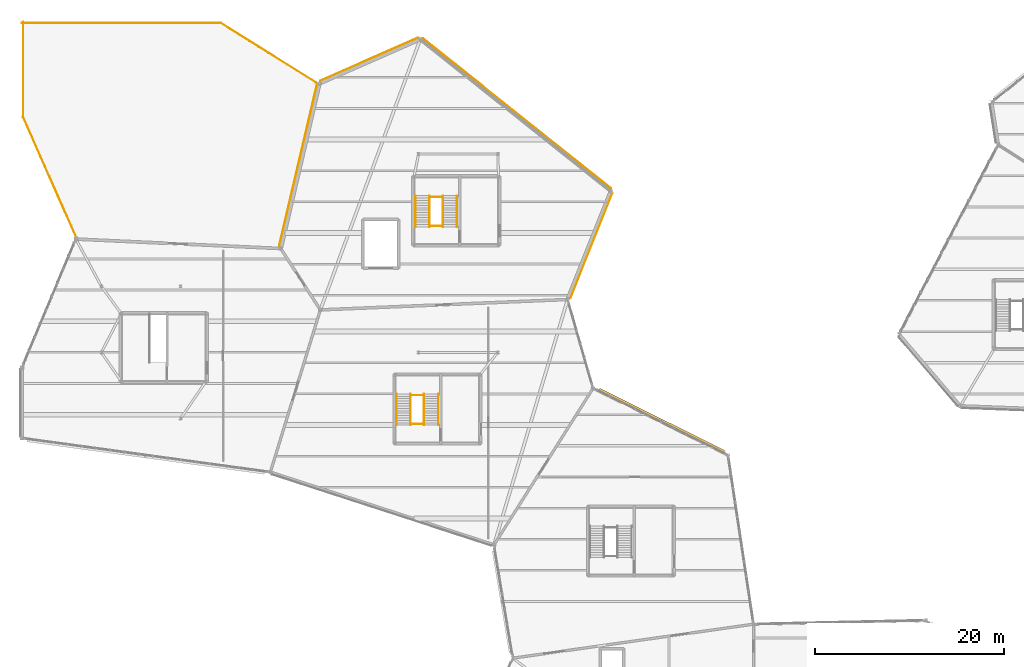
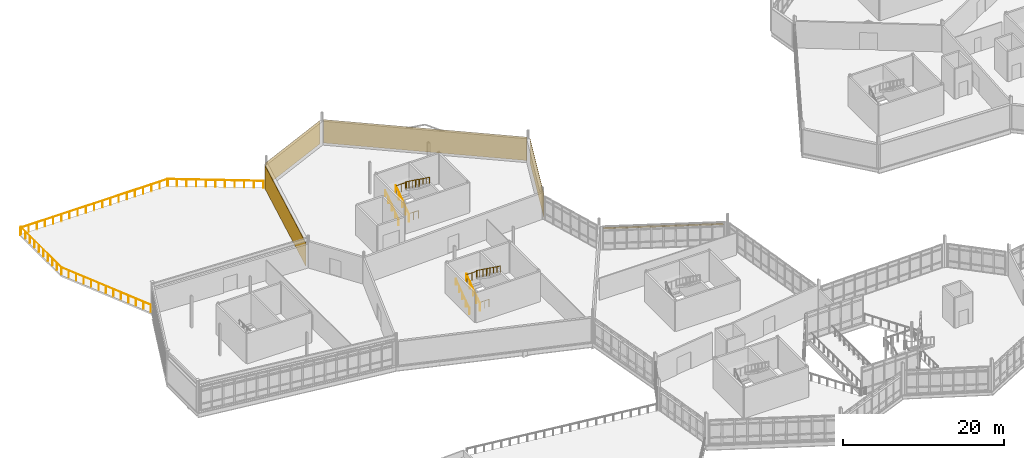
# One storey, part 112 of 114: 16 railings, 4 coverings, 1 shading device.
"""IFC4 building model written with IfcOpenShell, lengths in metres."""

from ifc_helpers import new_model, si_unit, direction, frame, frame_2d, origin, origin_2d, place, context, subcontext, project, spatial, rectangle, circle, extrude, material, layer, layer_set, type_object, element, save


model = new_model("IFC4")

# Units and contexts
model_context = context("Model", 3, precision=1e-05, world=origin(), true_north=direction((0.0, 1.0)))
body_context = subcontext(model_context, "Body", "Model", "MODEL_VIEW")
ifc_project = project(units=[si_unit("LENGTHUNIT", "METRE"), si_unit("AREAUNIT", "SQUARE_METRE"), si_unit("VOLUMEUNIT", "CUBIC_METRE"), si_unit("PLANEANGLEUNIT", "RADIAN"), si_unit("MASSUNIT", "GRAM", prefix="KILO")], contexts=[model_context])

# Site, building, storey
site_placement = place(None, origin())
site = spatial("IfcSite", under=ifc_project, at=site_placement, CompositionType="ELEMENT")
building_placement = place(site_placement, origin())
building = spatial("IfcBuilding", under=site, at=building_placement, Name="Tameran Prism Museum", CompositionType="ELEMENT")
storey_placement = place(building_placement, frame((0.0, 0.0, 10.199951171875)))
storey = spatial("IfcBuildingStorey", under=building, at=storey_placement, Name="L02", CompositionType="ELEMENT", Elevation=10.199951171875)

# Coverings
ifc_material_1 = material(Name="White Fluted Mineral Precast GRC", Category="concrete")
ifc_layer_1 = layer(ifc_material_1, 0.044921875)
ifc_layer_set_1 = layer_set([ifc_layer_1])
covering_type = type_object("IfcCoveringType", Name="CV-FLUTE-WHT", PredefinedType="CLADDING", material=ifc_layer_set_1)
covering_1_placement = place(storey_placement, frame((62.537109375, 93.85107421875, 0.050048828125), z_axis=(0.0, 0.0, 1.0), x_axis=(-0.371394194095, -0.928475283781, 0.0)))
element("IfcCovering", 1, at=covering_1_placement, inside=storey, type_object=covering_type, Name="Vertical Fluted White Precast Panel CL-0043", PredefinedType="CLADDING", context=body_context, shape_type="SweptSolid", body=[
    extrude(rectangle(XDim=11.966064453125, YDim=0.044921875, at=frame_2d((5.98291015625, 0.0))), origin(), (0.0, 0.0, 1.0), 3.52001953125),
])
covering_2_placement = place(storey_placement, frame((42.47802734375, 110.260009765625, 0.050048828125), z_axis=(0.0, 0.0, 1.0), x_axis=(0.781985968603, -0.623296033123, 0.0)))
element("IfcCovering", 2, at=covering_2_placement, inside=storey, type_object=covering_type, Name="Vertical Fluted White Precast Panel CL-0044", PredefinedType="CLADDING", context=body_context, shape_type="SweptSolid", body=[
    extrude(rectangle(XDim=25.470947265625, YDim=0.044921875, at=frame_2d((12.7353515625, 0.0))), origin(), (0.0, 0.0, 1.0), 3.52001953125),
])
covering_3_placement = place(storey_placement, frame((31.575927734375, 105.77392578125, 0.050048828125), z_axis=(0.0, 0.0, 1.0), x_axis=(0.915578616836, 0.402139026199, 0.0)))
element("IfcCovering", 3, at=covering_3_placement, inside=storey, type_object=covering_type, Name="Vertical Fluted White Precast Panel CL-0045", PredefinedType="CLADDING", context=body_context, shape_type="SweptSolid", body=[
    extrude(rectangle(XDim=11.327392578125, YDim=0.044921875, at=frame_2d((5.66357421875, 0.0))), origin(), (0.0, 0.0, 1.0), 3.52001953125),
])
covering_4_placement = place(storey_placement, frame((27.240966796875, 88.282958984375, 0.050048828125), z_axis=(0.0, 0.0, 1.0), x_axis=(0.228094301779, 0.973639044768, 0.0)))
element("IfcCovering", 4, at=covering_4_placement, inside=storey, type_object=covering_type, Name="Vertical Fluted White Precast Panel CL-0046", PredefinedType="CLADDING", context=body_context, shape_type="SweptSolid", body=[
    extrude(rectangle(XDim=17.5546875, YDim=0.044921875, at=frame_2d((8.77734375, 0.0))), origin(), (0.0, 0.0, 1.0), 3.52001953125),
])

# Railings
ifc_material_2 = material(Name="Marine Stainless Steel 316", Category="steel")
ifc_layer_2 = layer(ifc_material_2, 0.054931640625)
ifc_layer_set_2 = layer_set([ifc_layer_2])
railing_type_1 = type_object("IfcRailingType", Name="RL-GR-1120", PredefinedType="GUARDRAIL", material=ifc_layer_set_2)
railing_1_placement = place(storey_placement, frame((41.18994140625, 69.39990234375, 0.0)))
element("IfcRailing", 5, at=railing_1_placement, inside=storey, type_object=railing_type_1, Name="Stair Well Slot Guard GR-S148", PredefinedType="GUARDRAIL", context=body_context, shape_type="SweptSolid", body=[
    extrude(circle(Radius=0.02392578125, at=origin_2d()), frame((0.0, 0.0, 1.1259765625), z_axis=(1.0, 0.0, 0.0), x_axis=(0.0, 1.0, 0.0)), (0.0, 0.0, 1.0), 1.3701171875),
    extrude(circle(Radius=0.02099609375, at=origin_2d()), origin(), (0.0, 0.0, 1.0), 1.101806640625),
    extrude(circle(Radius=0.02099609375, at=origin_2d()), frame((0.68505859375, 0.0, 0.0)), (0.0, 0.0, 1.0), 1.101806640625),
    extrude(circle(Radius=0.02099609375, at=origin_2d()), frame((1.3701171875, 0.0, 0.0)), (0.0, 0.0, 1.0), 1.101806640625),
])
railing_2_placement = place(storey_placement, frame((41.169921875, 69.280029296875, 0.0)))
element("IfcRailing", 6, at=railing_2_placement, inside=storey, type_object=railing_type_1, Name="Stair Well Guardrail GR-S149", PredefinedType="GUARDRAIL", context=body_context, shape_type="SweptSolid", body=[
    extrude(circle(Radius=0.02392578125, at=origin_2d()), frame((0.0, 0.0, 1.1259765625), z_axis=(0.0, 0.809980229442, 0.586457183359), x_axis=(-1.0, 0.0, 0.0)), (0.0, 0.0, 1.0), 4.092529296875),
    extrude(circle(Radius=0.02099609375, at=origin_2d()), origin(), (0.0, 0.0, 1.0), 1.101806640625),
    extrude(circle(Radius=0.02099609375, at=origin_2d()), frame((0.0, 0.82861328125, 0.60009765625)), (0.0, 0.0, 1.0), 1.101806640625),
    extrude(circle(Radius=0.02099609375, at=origin_2d()), frame((0.0, 1.657470703125, 1.2001953125)), (0.0, 0.0, 1.0), 1.101806640625),
    extrude(circle(Radius=0.02099609375, at=origin_2d()), frame((0.0, 2.486328125, 1.800048828125)), (0.0, 0.0, 1.0), 1.101806640625),
    extrude(circle(Radius=0.02099609375, at=origin_2d()), frame((0.0, 3.31494140625, 2.400146484375)), (0.0, 0.0, 1.0), 1.101806640625),
])
railing_3_placement = place(storey_placement, frame((42.580078125, 72.594970703125, 2.400146484375)))
element("IfcRailing", 7, at=railing_3_placement, inside=storey, type_object=railing_type_1, Name="Stair Well Guardrail GR-S150", PredefinedType="GUARDRAIL", context=body_context, shape_type="SweptSolid", body=[
    extrude(circle(Radius=0.02392578125, at=origin_2d()), frame((0.0, 0.0, 1.1259765625), z_axis=(0.0, -0.810008566192, 0.586418044312), x_axis=(1.0, 0.0, 0.0)), (0.0, 0.0, 1.0), 4.092529296875),
    extrude(circle(Radius=0.02099609375, at=origin_2d()), origin(), (0.0, 0.0, 1.0), 1.101806640625),
    extrude(circle(Radius=0.02099609375, at=origin_2d()), frame((0.0, -0.82861328125, 0.60009765625)), (0.0, 0.0, 1.0), 1.101806640625),
    extrude(circle(Radius=0.02099609375, at=origin_2d()), frame((0.0, -1.657470703125, 1.199951171875)), (0.0, 0.0, 1.0), 1.101806640625),
    extrude(circle(Radius=0.02099609375, at=origin_2d()), frame((0.0, -2.486328125, 1.7998046875)), (0.0, 0.0, 1.0), 1.101806640625),
    extrude(circle(Radius=0.02099609375, at=origin_2d()), frame((0.0, -3.31494140625, 2.39990234375)), (0.0, 0.0, 1.0), 1.101806640625),
])
railing_4_placement = place(storey_placement, frame((41.14990234375, 72.455078125, 2.400146484375)))
element("IfcRailing", 8, at=railing_4_placement, inside=storey, type_object=railing_type_1, Name="Landing Well Guardrail GR-S151", PredefinedType="GUARDRAIL", context=body_context, shape_type="SweptSolid", body=[
    extrude(circle(Radius=0.02392578125, at=origin_2d()), frame((0.0, 0.0, 1.1259765625), z_axis=(1.0, 0.0, 0.0), x_axis=(0.0, 1.0, 0.0)), (0.0, 0.0, 1.0), 1.4501953125),
    extrude(circle(Radius=0.02099609375, at=origin_2d()), origin(), (0.0, 0.0, 1.0), 1.101806640625),
    extrude(circle(Radius=0.02099609375, at=origin_2d()), frame((0.72509765625, 0.0, 0.0)), (0.0, 0.0, 1.0), 1.101806640625),
    extrude(circle(Radius=0.02099609375, at=origin_2d()), frame((1.4501953125, 0.0, 0.0)), (0.0, 0.0, 1.0), 1.101806640625),
])
railing_5_placement = place(storey_placement, frame((43.18994140625, 90.39990234375, 0.0)))
element("IfcRailing", 9, at=railing_5_placement, inside=storey, type_object=railing_type_1, Name="Stair Well Slot Guard GR-S208", PredefinedType="GUARDRAIL", context=body_context, shape_type="SweptSolid", body=[
    extrude(circle(Radius=0.02392578125, at=origin_2d()), frame((0.0, 0.0, 1.1259765625), z_axis=(1.0, 0.0, 0.0), x_axis=(0.0, 1.0, 0.0)), (0.0, 0.0, 1.0), 1.3701171875),
    extrude(circle(Radius=0.02099609375, at=origin_2d()), origin(), (0.0, 0.0, 1.0), 1.101806640625),
    extrude(circle(Radius=0.02099609375, at=origin_2d()), frame((0.68505859375, 0.0, 0.0)), (0.0, 0.0, 1.0), 1.101806640625),
    extrude(circle(Radius=0.02099609375, at=origin_2d()), frame((1.3701171875, 0.0, 0.0)), (0.0, 0.0, 1.0), 1.101806640625),
])
railing_6_placement = place(storey_placement, frame((43.169921875, 90.280029296875, 0.0)))
element("IfcRailing", 10, at=railing_6_placement, inside=storey, type_object=railing_type_1, Name="Stair Well Guardrail GR-S209", PredefinedType="GUARDRAIL", context=body_context, shape_type="SweptSolid", body=[
    extrude(circle(Radius=0.02392578125, at=origin_2d()), frame((0.0, 0.0, 1.1259765625), z_axis=(0.0, 0.809980229442, 0.586457183359), x_axis=(-1.0, 0.0, 0.0)), (0.0, 0.0, 1.0), 4.092529296875),
    extrude(circle(Radius=0.02099609375, at=origin_2d()), origin(), (0.0, 0.0, 1.0), 1.101806640625),
    extrude(circle(Radius=0.02099609375, at=origin_2d()), frame((0.0, 0.82861328125, 0.60009765625)), (0.0, 0.0, 1.0), 1.101806640625),
    extrude(circle(Radius=0.02099609375, at=origin_2d()), frame((0.0, 1.657470703125, 1.2001953125)), (0.0, 0.0, 1.0), 1.101806640625),
    extrude(circle(Radius=0.02099609375, at=origin_2d()), frame((0.0, 2.486328125, 1.800048828125)), (0.0, 0.0, 1.0), 1.101806640625),
    extrude(circle(Radius=0.02099609375, at=origin_2d()), frame((0.0, 3.31494140625, 2.400146484375)), (0.0, 0.0, 1.0), 1.101806640625),
])
railing_7_placement = place(storey_placement, frame((44.580078125, 93.594970703125, 2.400146484375)))
element("IfcRailing", 11, at=railing_7_placement, inside=storey, type_object=railing_type_1, Name="Stair Well Guardrail GR-S210", PredefinedType="GUARDRAIL", context=body_context, shape_type="SweptSolid", body=[
    extrude(circle(Radius=0.02392578125, at=origin_2d()), frame((0.0, 0.0, 1.1259765625), z_axis=(0.0, -0.810008566192, 0.586418044312), x_axis=(1.0, 0.0, 0.0)), (0.0, 0.0, 1.0), 4.092529296875),
    extrude(circle(Radius=0.02099609375, at=origin_2d()), origin(), (0.0, 0.0, 1.0), 1.101806640625),
    extrude(circle(Radius=0.02099609375, at=origin_2d()), frame((0.0, -0.82861328125, 0.60009765625)), (0.0, 0.0, 1.0), 1.101806640625),
    extrude(circle(Radius=0.02099609375, at=origin_2d()), frame((0.0, -1.657470703125, 1.199951171875)), (0.0, 0.0, 1.0), 1.101806640625),
    extrude(circle(Radius=0.02099609375, at=origin_2d()), frame((0.0, -2.486328125, 1.7998046875)), (0.0, 0.0, 1.0), 1.101806640625),
    extrude(circle(Radius=0.02099609375, at=origin_2d()), frame((0.0, -3.31494140625, 2.39990234375)), (0.0, 0.0, 1.0), 1.101806640625),
])
railing_8_placement = place(storey_placement, frame((43.14990234375, 93.455078125, 2.400146484375)))
element("IfcRailing", 12, at=railing_8_placement, inside=storey, type_object=railing_type_1, Name="Landing Well Guardrail GR-S211", PredefinedType="GUARDRAIL", context=body_context, shape_type="SweptSolid", body=[
    extrude(circle(Radius=0.02392578125, at=origin_2d()), frame((0.0, 0.0, 1.1259765625), z_axis=(1.0, 0.0, 0.0), x_axis=(0.0, 1.0, 0.0)), (0.0, 0.0, 1.0), 1.4501953125),
    extrude(circle(Radius=0.02099609375, at=origin_2d()), origin(), (0.0, 0.0, 1.0), 1.101806640625),
    extrude(circle(Radius=0.02099609375, at=origin_2d()), frame((0.72509765625, 0.0, 0.0)), (0.0, 0.0, 1.0), 1.101806640625),
    extrude(circle(Radius=0.02099609375, at=origin_2d()), frame((1.4501953125, 0.0, 0.0)), (0.0, 0.0, 1.0), 1.101806640625),
])
ifc_material_3 = material(Name="Brushed Stainless Steel 316", Category="steel")
ifc_layer_3 = layer(ifc_material_3, 0.048095703125)
ifc_layer_set_3 = layer_set([ifc_layer_3])
railing_type_2 = type_object("IfcRailingType", Name="RL-HR-920", PredefinedType="HANDRAIL", material=ifc_layer_set_3)
railing_9_placement = place(storey_placement, frame((39.659912109375, 69.280029296875, 0.0)))
element("IfcRailing", 13, at=railing_9_placement, inside=storey, type_object=railing_type_2, Name="Stair Flight Handrail HR-075", PredefinedType="HANDRAIL", context=body_context, shape_type="SweptSolid", body=[
    extrude(circle(Radius=0.02392578125, at=origin_2d()), frame((0.0, 0.0, 0.89599609375), z_axis=(0.0, 0.809980229442, 0.586457183359), x_axis=(-1.0, 0.0, 0.0)), (0.0, 0.0, 1.0), 4.092529296875),
    extrude(circle(Radius=0.02099609375, at=origin_2d()), origin(), (0.0, 0.0, 1.0), 0.871826171875),
    extrude(circle(Radius=0.02099609375, at=origin_2d()), frame((0.0, 0.82861328125, 0.60009765625)), (0.0, 0.0, 1.0), 0.871826171875),
    extrude(circle(Radius=0.02099609375, at=origin_2d()), frame((0.0, 1.657470703125, 1.2001953125)), (0.0, 0.0, 1.0), 0.871826171875),
    extrude(circle(Radius=0.02099609375, at=origin_2d()), frame((0.0, 2.486328125, 1.800048828125)), (0.0, 0.0, 1.0), 0.871826171875),
    extrude(circle(Radius=0.02099609375, at=origin_2d()), frame((0.0, 3.31494140625, 2.400146484375)), (0.0, 0.0, 1.0), 0.871826171875),
])
railing_10_placement = place(storey_placement, frame((44.090087890625, 72.594970703125, 2.400146484375)))
element("IfcRailing", 14, at=railing_10_placement, inside=storey, type_object=railing_type_2, Name="Stair Flight Handrail HR-076", PredefinedType="HANDRAIL", context=body_context, shape_type="SweptSolid", body=[
    extrude(circle(Radius=0.02392578125, at=origin_2d()), frame((0.0, 0.0, 0.89599609375), z_axis=(0.0, -0.810008566192, 0.586418044312), x_axis=(1.0, 0.0, 0.0)), (0.0, 0.0, 1.0), 4.092529296875),
    extrude(circle(Radius=0.02099609375, at=origin_2d()), origin(), (0.0, 0.0, 1.0), 0.871826171875),
    extrude(circle(Radius=0.02099609375, at=origin_2d()), frame((0.0, -0.82861328125, 0.60009765625)), (0.0, 0.0, 1.0), 0.871826171875),
    extrude(circle(Radius=0.02099609375, at=origin_2d()), frame((0.0, -1.657470703125, 1.199951171875)), (0.0, 0.0, 1.0), 0.871826171875),
    extrude(circle(Radius=0.02099609375, at=origin_2d()), frame((0.0, -2.486328125, 1.7998046875)), (0.0, 0.0, 1.0), 0.871826171875),
    extrude(circle(Radius=0.02099609375, at=origin_2d()), frame((0.0, -3.31494140625, 2.39990234375)), (0.0, 0.0, 1.0), 0.871826171875),
])
railing_11_placement = place(storey_placement, frame((41.659912109375, 90.280029296875, 0.0)))
element("IfcRailing", 15, at=railing_11_placement, inside=storey, type_object=railing_type_2, Name="Stair Flight Handrail HR-105", PredefinedType="HANDRAIL", context=body_context, shape_type="SweptSolid", body=[
    extrude(circle(Radius=0.02392578125, at=origin_2d()), frame((0.0, 0.0, 0.89599609375), z_axis=(0.0, 0.809980229442, 0.586457183359), x_axis=(-1.0, 0.0, 0.0)), (0.0, 0.0, 1.0), 4.092529296875),
    extrude(circle(Radius=0.02099609375, at=origin_2d()), origin(), (0.0, 0.0, 1.0), 0.871826171875),
    extrude(circle(Radius=0.02099609375, at=origin_2d()), frame((0.0, 0.82861328125, 0.60009765625)), (0.0, 0.0, 1.0), 0.871826171875),
    extrude(circle(Radius=0.02099609375, at=origin_2d()), frame((0.0, 1.657470703125, 1.2001953125)), (0.0, 0.0, 1.0), 0.871826171875),
    extrude(circle(Radius=0.02099609375, at=origin_2d()), frame((0.0, 2.486328125, 1.800048828125)), (0.0, 0.0, 1.0), 0.871826171875),
    extrude(circle(Radius=0.02099609375, at=origin_2d()), frame((0.0, 3.31494140625, 2.400146484375)), (0.0, 0.0, 1.0), 0.871826171875),
])
railing_12_placement = place(storey_placement, frame((46.090087890625, 93.594970703125, 2.400146484375)))
element("IfcRailing", 16, at=railing_12_placement, inside=storey, type_object=railing_type_2, Name="Stair Flight Handrail HR-106", PredefinedType="HANDRAIL", context=body_context, shape_type="SweptSolid", body=[
    extrude(circle(Radius=0.02392578125, at=origin_2d()), frame((0.0, 0.0, 0.89599609375), z_axis=(0.0, -0.810008566192, 0.586418044312), x_axis=(1.0, 0.0, 0.0)), (0.0, 0.0, 1.0), 4.092529296875),
    extrude(circle(Radius=0.02099609375, at=origin_2d()), origin(), (0.0, 0.0, 1.0), 0.871826171875),
    extrude(circle(Radius=0.02099609375, at=origin_2d()), frame((0.0, -0.82861328125, 0.60009765625)), (0.0, 0.0, 1.0), 0.871826171875),
    extrude(circle(Radius=0.02099609375, at=origin_2d()), frame((0.0, -1.657470703125, 1.199951171875)), (0.0, 0.0, 1.0), 0.871826171875),
    extrude(circle(Radius=0.02099609375, at=origin_2d()), frame((0.0, -2.486328125, 1.7998046875)), (0.0, 0.0, 1.0), 0.871826171875),
    extrude(circle(Radius=0.02099609375, at=origin_2d()), frame((0.0, -3.31494140625, 2.39990234375)), (0.0, 0.0, 1.0), 0.871826171875),
])
ifc_material_4 = material(Name="Marine Stainless Steel 316", Category="steel")
ifc_layer_4 = layer(ifc_material_4, 0.06005859375)
ifc_layer_set_4 = layer_set([ifc_layer_4])
railing_type_3 = type_object("IfcRailingType", Name="RL-TER-1120", PredefinedType="GUARDRAIL", material=ifc_layer_set_4)
railing_13_placement = place(storey_placement, frame((31.156982421875, 105.572021484375, 0.0)))
element("IfcRailing", 17, at=railing_13_placement, inside=storey, type_object=railing_type_3, Name="Terrace Guardrail GR-T023", PredefinedType="GUARDRAIL", context=body_context, shape_type="SweptSolid", body=[
    extrude(circle(Radius=0.02392578125, at=origin_2d()), frame((0.0, 0.0, 1.09619140625), z_axis=(-0.847989110547, 0.530013649252, 0.0), x_axis=(-0.530013649252, -0.847989110547, 0.0)), (0.0, 0.0, 1.0), 11.935302734375),
    extrude(circle(Radius=0.02099609375, at=origin_2d()), origin(), (0.0, 0.0, 1.0), 1.072021484375),
    extrude(circle(Radius=0.02099609375, at=origin_2d()), frame((-1.01220703125, 0.632568359375, 0.0)), (0.0, 0.0, 1.0), 1.072021484375),
    extrude(circle(Radius=0.02099609375, at=origin_2d()), frame((-2.024169921875, 1.26513671875, 0.0)), (0.0, 0.0, 1.0), 1.072021484375),
    extrude(circle(Radius=0.02099609375, at=origin_2d()), frame((-3.036376953125, 1.897705078125, 0.0)), (0.0, 0.0, 1.0), 1.072021484375),
    extrude(circle(Radius=0.02099609375, at=origin_2d()), frame((-4.04833984375, 2.5302734375, 0.0)), (0.0, 0.0, 1.0), 1.072021484375),
    extrude(circle(Radius=0.02099609375, at=origin_2d()), frame((-5.060546875, 3.1630859375, 0.0)), (0.0, 0.0, 1.0), 1.072021484375),
    extrude(circle(Radius=0.02099609375, at=origin_2d()), frame((-6.07275390625, 3.795654296875, 0.0)), (0.0, 0.0, 1.0), 1.072021484375),
    extrude(circle(Radius=0.02099609375, at=origin_2d()), frame((-7.084716796875, 4.42822265625, 0.0)), (0.0, 0.0, 1.0), 1.072021484375),
    extrude(circle(Radius=0.02099609375, at=origin_2d()), frame((-8.096923828125, 5.060791015625, 0.0)), (0.0, 0.0, 1.0), 1.072021484375),
    extrude(circle(Radius=0.02099609375, at=origin_2d()), frame((-9.10888671875, 5.693359375, 0.0)), (0.0, 0.0, 1.0), 1.072021484375),
    extrude(circle(Radius=0.02099609375, at=origin_2d()), frame((-10.12109375, 6.325927734375, 0.0)), (0.0, 0.0, 1.0), 1.072021484375),
])
railing_14_placement = place(storey_placement, frame((21.10009765625, 111.8798828125, 0.0)))
element("IfcRailing", 18, at=railing_14_placement, inside=storey, type_object=railing_type_3, Name="Terrace Guardrail GR-T024", PredefinedType="GUARDRAIL", context=body_context, shape_type="SweptSolid", body=[
    extrude(circle(Radius=0.02392578125, at=origin_2d()), frame((0.0, 0.0, 1.09619140625), z_axis=(-1.0, 0.0, 0.0), x_axis=(0.0, -1.0, 0.0)), (0.0, 0.0, 1.0), 21.10009765625),
    extrude(circle(Radius=0.02099609375, at=origin_2d()), origin(), (0.0, 0.0, 1.0), 1.072021484375),
    extrude(circle(Radius=0.02099609375, at=origin_2d()), frame((-1.172119140625, 0.0, 0.0)), (0.0, 0.0, 1.0), 1.072021484375),
    extrude(circle(Radius=0.02099609375, at=origin_2d()), frame((-2.344482421875, 0.0, 0.0)), (0.0, 0.0, 1.0), 1.072021484375),
    extrude(circle(Radius=0.02099609375, at=origin_2d()), frame((-3.5166015625, 0.0, 0.0)), (0.0, 0.0, 1.0), 1.072021484375),
    extrude(circle(Radius=0.02099609375, at=origin_2d()), frame((-4.68896484375, 0.0, 0.0)), (0.0, 0.0, 1.0), 1.072021484375),
    extrude(circle(Radius=0.02099609375, at=origin_2d()), frame((-5.861083984375, 0.0, 0.0)), (0.0, 0.0, 1.0), 1.072021484375),
    extrude(circle(Radius=0.02099609375, at=origin_2d()), frame((-7.033447265625, 0.0, 0.0)), (0.0, 0.0, 1.0), 1.072021484375),
    extrude(circle(Radius=0.02099609375, at=origin_2d()), frame((-8.20556640625, 0.0, 0.0)), (0.0, 0.0, 1.0), 1.072021484375),
    extrude(circle(Radius=0.02099609375, at=origin_2d()), frame((-9.3779296875, 0.0, 0.0)), (0.0, 0.0, 1.0), 1.072021484375),
    extrude(circle(Radius=0.02099609375, at=origin_2d()), frame((-10.550048828125, 0.0, 0.0)), (0.0, 0.0, 1.0), 1.072021484375),
    extrude(circle(Radius=0.02099609375, at=origin_2d()), frame((-11.72216796875, 0.0, 0.0)), (0.0, 0.0, 1.0), 1.072021484375),
    extrude(circle(Radius=0.02099609375, at=origin_2d()), frame((-12.89453125, 0.0, 0.0)), (0.0, 0.0, 1.0), 1.072021484375),
    extrude(circle(Radius=0.02099609375, at=origin_2d()), frame((-14.066650390625, 0.0, 0.0)), (0.0, 0.0, 1.0), 1.072021484375),
    extrude(circle(Radius=0.02099609375, at=origin_2d()), frame((-15.239013671875, 0.0, 0.0)), (0.0, 0.0, 1.0), 1.072021484375),
    extrude(circle(Radius=0.02099609375, at=origin_2d()), frame((-16.4111328125, 0.0, 0.0)), (0.0, 0.0, 1.0), 1.072021484375),
    extrude(circle(Radius=0.02099609375, at=origin_2d()), frame((-17.58349609375, 0.0, 0.0)), (0.0, 0.0, 1.0), 1.072021484375),
    extrude(circle(Radius=0.02099609375, at=origin_2d()), frame((-18.755615234375, 0.0, 0.0)), (0.0, 0.0, 1.0), 1.072021484375),
    extrude(circle(Radius=0.02099609375, at=origin_2d()), frame((-19.927978515625, 0.0, 0.0)), (0.0, 0.0, 1.0), 1.072021484375),
    extrude(circle(Radius=0.02099609375, at=origin_2d()), frame((-21.10009765625, 0.0, 0.0)), (0.0, 0.0, 1.0), 1.072021484375),
])
railing_15_placement = place(storey_placement, frame((0.1201171875, 112.0, 0.0)))
element("IfcRailing", 19, at=railing_15_placement, inside=storey, type_object=railing_type_3, Name="Terrace Guardrail GR-T025", PredefinedType="GUARDRAIL", context=body_context, shape_type="SweptSolid", body=[
    extrude(circle(Radius=0.02392578125, at=origin_2d()), frame((0.0, 0.0, 1.09619140625), z_axis=(0.0, -1.0, 0.0), x_axis=(1.0, 0.0, 0.0)), (0.0, 0.0, 1.0), 10.10009765625),
    extrude(circle(Radius=0.02099609375, at=origin_2d()), origin(), (0.0, 0.0, 1.0), 1.072021484375),
    extrude(circle(Radius=0.02099609375, at=origin_2d()), frame((0.0, -1.122314453125, 0.0)), (0.0, 0.0, 1.0), 1.072021484375),
    extrude(circle(Radius=0.02099609375, at=origin_2d()), frame((0.0, -2.244384765625, 0.0)), (0.0, 0.0, 1.0), 1.072021484375),
    extrude(circle(Radius=0.02099609375, at=origin_2d()), frame((0.0, -3.36669921875, 0.0)), (0.0, 0.0, 1.0), 1.072021484375),
    extrude(circle(Radius=0.02099609375, at=origin_2d()), frame((0.0, -4.489013671875, 0.0)), (0.0, 0.0, 1.0), 1.072021484375),
    extrude(circle(Radius=0.02099609375, at=origin_2d()), frame((0.0, -5.611083984375, 0.0)), (0.0, 0.0, 1.0), 1.072021484375),
    extrude(circle(Radius=0.02099609375, at=origin_2d()), frame((0.0, -6.7333984375, 0.0)), (0.0, 0.0, 1.0), 1.072021484375),
    extrude(circle(Radius=0.02099609375, at=origin_2d()), frame((0.0, -7.855712890625, 0.0)), (0.0, 0.0, 1.0), 1.072021484375),
    extrude(circle(Radius=0.02099609375, at=origin_2d()), frame((0.0, -8.977783203125, 0.0)), (0.0, 0.0, 1.0), 1.072021484375),
    extrude(circle(Radius=0.02099609375, at=origin_2d()), frame((0.0, -10.10009765625, 0.0)), (0.0, 0.0, 1.0), 1.072021484375),
])
railing_16_placement = place(storey_placement, frame((0.110107421875, 101.947998046875, 0.0)))
element("IfcRailing", 20, at=railing_16_placement, inside=storey, type_object=railing_type_3, Name="Terrace Guardrail GR-T026", PredefinedType="GUARDRAIL", context=body_context, shape_type="SweptSolid", body=[
    extrude(circle(Radius=0.02392578125, at=origin_2d()), frame((0.0, 0.0, 1.09619140625), z_axis=(0.404160744475, -0.914687975555, 0.0), x_axis=(0.914687975555, 0.404160744475, 0.0)), (0.0, 0.0, 1.0), 13.77392578125),
    extrude(circle(Radius=0.02099609375, at=origin_2d()), origin(), (0.0, 0.0, 1.0), 1.072021484375),
    extrude(circle(Radius=0.02099609375, at=origin_2d()), frame((0.4638671875, -1.0498046875, 0.0)), (0.0, 0.0, 1.0), 1.072021484375),
    extrude(circle(Radius=0.02099609375, at=origin_2d()), frame((0.927734375, -2.099853515625, 0.0)), (0.0, 0.0, 1.0), 1.072021484375),
    extrude(circle(Radius=0.02099609375, at=origin_2d()), frame((1.3916015625, -3.149658203125, 0.0)), (0.0, 0.0, 1.0), 1.072021484375),
    extrude(circle(Radius=0.02099609375, at=origin_2d()), frame((1.855712890625, -4.19970703125, 0.0)), (0.0, 0.0, 1.0), 1.072021484375),
    extrude(circle(Radius=0.02099609375, at=origin_2d()), frame((2.319580078125, -5.24951171875, 0.0)), (0.0, 0.0, 1.0), 1.072021484375),
    extrude(circle(Radius=0.02099609375, at=origin_2d()), frame((2.783447265625, -6.29931640625, 0.0)), (0.0, 0.0, 1.0), 1.072021484375),
    extrude(circle(Radius=0.02099609375, at=origin_2d()), frame((3.247314453125, -7.349365234375, 0.0)), (0.0, 0.0, 1.0), 1.072021484375),
    extrude(circle(Radius=0.02099609375, at=origin_2d()), frame((3.711181640625, -8.399169921875, 0.0)), (0.0, 0.0, 1.0), 1.072021484375),
    extrude(circle(Radius=0.02099609375, at=origin_2d()), frame((4.17529296875, -9.44921875, 0.0)), (0.0, 0.0, 1.0), 1.072021484375),
    extrude(circle(Radius=0.02099609375, at=origin_2d()), frame((4.63916015625, -10.4990234375, 0.0)), (0.0, 0.0, 1.0), 1.072021484375),
    extrude(circle(Radius=0.02099609375, at=origin_2d()), frame((5.10302734375, -11.549072265625, 0.0)), (0.0, 0.0, 1.0), 1.072021484375),
    extrude(circle(Radius=0.02099609375, at=origin_2d()), frame((5.56689453125, -12.598876953125, 0.0)), (0.0, 0.0, 1.0), 1.072021484375),
])

# Shading device
ifc_material_5 = material(Name="Anodised Aluminium Alloy 6063-T6", Category="aluminium")
ifc_layer_5 = layer(ifc_material_5, 0.044921875)
ifc_layer_set_5 = layer_set([ifc_layer_5])
shading_device_type = type_object("IfcShadingDeviceType", Name="SH-JAL-240", PredefinedType="JALOUSIE", material=ifc_layer_set_5)
shading_device_placement = place(storey_placement, frame((67.757080078125, 69.797119140625, 3.14013671875), z_axis=(0.0, 0.0, 1.0), x_axis=(0.895711760239, -0.444635179185, 0.0)))
element("IfcShadingDevice", 21, at=shading_device_placement, inside=storey, type_object=shading_device_type, Name="Monsoon Storm Louvre SLV-048", PredefinedType="JALOUSIE", context=body_context, shape_type="SweptSolid", body=[
    extrude(rectangle(XDim=14.804931640625, YDim=0.260009765625, at=origin_2d()), origin(), (0.0, 0.0, 1.0), 0.06005859375),
])

save(model, "model.ifc")
